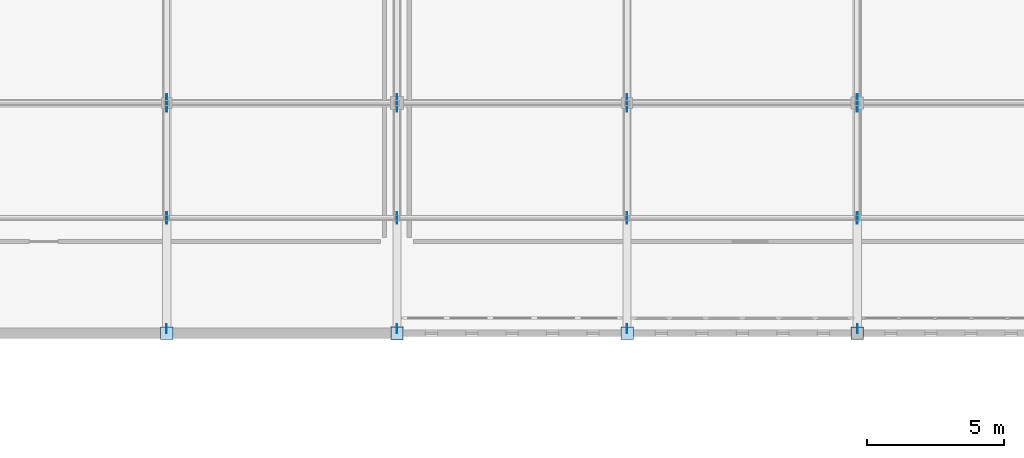
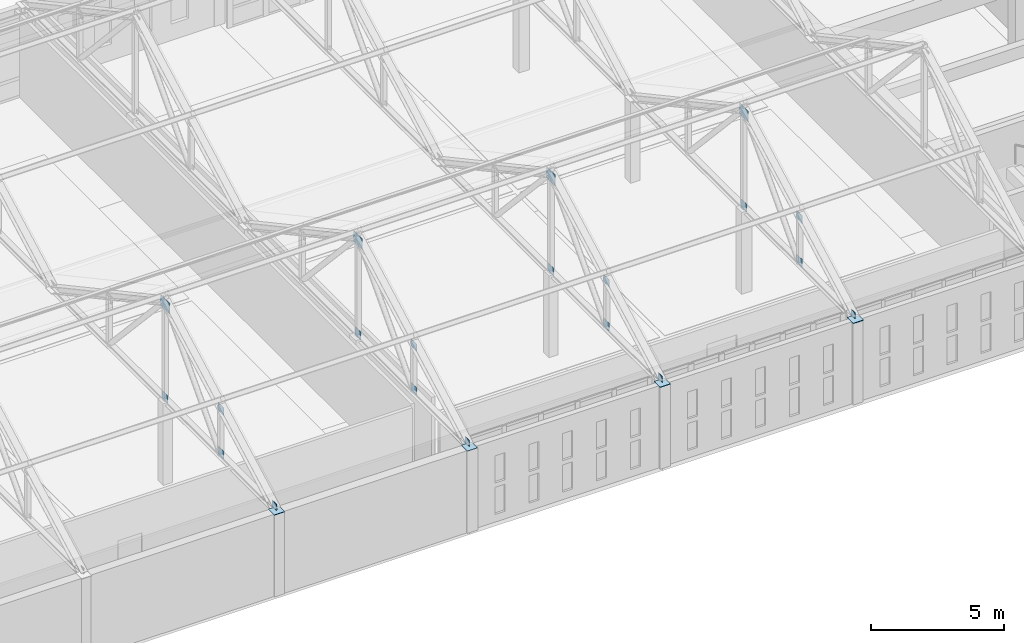
# One storey, part 76 of 110: 24 plates.
"""IFC4 building model written with IfcOpenShell, lengths in metres."""

from ifc_helpers import new_model, si_unit, direction, frame, origin, origin_2d, place, context, subcontext, project, spatial, rectangle, extrude, material, layer, layer_set, type_object, element, save


model = new_model("IFC4")

# Units and contexts
model_context = context("Model", 3, precision=1e-05, world=origin(), true_north=direction((0.0, 1.0)))
body_context = subcontext(model_context, "Body", "Model", "MODEL_VIEW")
ifc_project = project(units=[si_unit("LENGTHUNIT", "METRE"), si_unit("AREAUNIT", "SQUARE_METRE"), si_unit("VOLUMEUNIT", "CUBIC_METRE"), si_unit("PLANEANGLEUNIT", "RADIAN"), si_unit("MASSUNIT", "GRAM", prefix="KILO")], contexts=[model_context])

# Site, building, storey
site_placement = place(None, origin())
site = spatial("IfcSite", under=ifc_project, at=site_placement, CompositionType="ELEMENT")
building_placement = place(site_placement, origin())
building = spatial("IfcBuilding", under=site, at=building_placement, Name="Kveldsbrygga Polytechnic", CompositionType="ELEMENT")
storey_placement = place(building_placement, frame((0.0, 0.0, 9.860107421875)))
storey = spatial("IfcBuildingStorey", under=building, at=storey_placement, Name="L02", CompositionType="ELEMENT", Elevation=9.860107421875)

# Plates
ifc_material = material(Name="Steel S355", Category="steel")
ifc_layer_1 = layer(ifc_material, 0.030029296875)
ifc_layer_set_1 = layer_set([ifc_layer_1], Name="Steel S355")
plate_type_1 = type_object("IfcPlateType", Name="CAP-BEAR-450", PredefinedType="SHEET", material=ifc_layer_set_1)
for number, where, z_axis, x_axis, name in (
    (1, (67.199951171875, 84.0, 3.75), (0.0, 0.0, 1.0), (1.0, 0.0, 0.0), "Truss Bearing Plate V2L1-T04-A"),
    (2, (75.60009765625, 84.0, 3.75), (0.0, 0.0, 1.0), (1.0, 0.0, 0.0), "Truss Bearing Plate V2L1-T05-A"),
    (3, (84.0, 84.0, 3.75), (0.0, 0.0, 1.0), (1.0, 0.0, 0.0), "Truss Bearing Plate V2L1-T06-A"),
    (4, (92.39990234375, 84.0, 3.75), (0.0, 0.0, 1.0), (1.0, 0.0, 0.0), "Truss Bearing Plate V2L1-T07-A"),
):
    element("IfcPlate", number, at=place(storey_placement, frame(where, z_axis=z_axis, x_axis=x_axis)), inside=storey, type_object=plate_type_1, Name=name, PredefinedType="SHEET", context=body_context, shape_type="SweptSolid", body=[
        extrude(rectangle(XDim=0.449951171875, YDim=0.449951171875, at=origin_2d()), origin(), (0.0, 0.0, 1.0), 0.030029296875),
    ])
ifc_layer_2 = layer(ifc_material, 0.02490234375)
ifc_layer_set_2 = layer_set([ifc_layer_2], Name="Steel S355")
plate_type_2 = type_object("IfcPlateType", Name="GUS-APEX-650", PredefinedType="SHEET", material=ifc_layer_set_2)
for number, where, z_axis, x_axis, name in (
    (5, (67.199951171875, 92.39990234375, 7.929931640625), (0.0, 0.0, 1.0), (1.0, 0.0, 0.0), "Truss Gusset Plate V2L1-T04-GP-2"),
    (6, (75.60009765625, 92.39990234375, 7.929931640625), (0.0, 0.0, 1.0), (1.0, 0.0, 0.0), "Truss Gusset Plate V2L1-T05-GP-2"),
    (7, (84.0, 92.39990234375, 7.929931640625), (0.0, 0.0, 1.0), (1.0, 0.0, 0.0), "Truss Gusset Plate V2L1-T06-GP-2"),
    (8, (92.39990234375, 92.39990234375, 7.929931640625), (0.0, 0.0, 1.0), (1.0, 0.0, 0.0), "Truss Gusset Plate V2L1-T07-GP-2"),
):
    element("IfcPlate", number, at=place(storey_placement, frame(where, z_axis=z_axis, x_axis=x_axis)), inside=storey, type_object=plate_type_2, Name=name, PredefinedType="SHEET", context=body_context, shape_type="SweptSolid", body=[
        extrude(rectangle(XDim=0.02490234375, YDim=0.64990234375, at=origin_2d()), origin(), (0.0, 0.0, 1.0), 0.5),
    ])
ifc_layer_3 = layer(ifc_material, 0.01806640625)
ifc_layer_set_3 = layer_set([ifc_layer_3], Name="Steel S355")
plate_type_3 = type_object("IfcPlateType", Name="GUS-BRACE-320", PredefinedType="SHEET", material=ifc_layer_set_3)
for number, where, z_axis, x_axis, name in (
    (9, (67.199951171875, 84.159912109375, 3.73974609375), (0.0, 0.0, 1.0), (1.0, 0.0, 0.0), "Truss Eaves Node Gusset V2L1-T04-EGP-A"),
    (10, (75.60009765625, 84.159912109375, 3.73974609375), (0.0, 0.0, 1.0), (1.0, 0.0, 0.0), "Truss Eaves Node Gusset V2L1-T05-EGP-A"),
    (11, (84.0, 84.159912109375, 3.73974609375), (0.0, 0.0, 1.0), (1.0, 0.0, 0.0), "Truss Eaves Node Gusset V2L1-T06-EGP-A"),
    (12, (92.39990234375, 84.159912109375, 3.73974609375), (0.0, 0.0, 1.0), (1.0, 0.0, 0.0), "Truss Eaves Node Gusset V2L1-T07-EGP-A"),
):
    element("IfcPlate", number, at=place(storey_placement, frame(where, z_axis=z_axis, x_axis=x_axis)), inside=storey, type_object=plate_type_3, Name=name, PredefinedType="SHEET", context=body_context, shape_type="SweptSolid", body=[
        extrude(rectangle(XDim=0.01806640625, YDim=0.320068359375, at=origin_2d()), origin(), (0.0, 0.0, 1.0), 0.320068359375),
    ])
ifc_layer_4 = layer(ifc_material, 0.02001953125)
ifc_layer_set_4 = layer_set([ifc_layer_4], Name="Steel S355")
plate_type_4 = type_object("IfcPlateType", Name="GUS-LECT-420", PredefinedType="SHEET", material=ifc_layer_set_4)
for number, where, z_axis, x_axis, name in (
    (13, (67.199951171875, 88.199951171875, 5.729736328125), (0.0, 0.0, 1.0), (1.0, 0.0, 0.0), "Truss Gusset Plate V2L1-T04-GP-1"),
    (14, (67.199951171875, 88.199951171875, 3.724853515625), (0.0, 0.0, 1.0), (1.0, 0.0, 0.0), "Truss Bottom-Chord Node Gusset V2L1-T04-BGP-1"),
    (15, (67.199951171875, 92.39990234375, 3.724853515625), (0.0, 0.0, 1.0), (1.0, 0.0, 0.0), "Truss Bottom-Chord Node Gusset V2L1-T04-BGP-2"),
    (16, (75.60009765625, 88.199951171875, 5.729736328125), (0.0, 0.0, 1.0), (1.0, 0.0, 0.0), "Truss Gusset Plate V2L1-T05-GP-1"),
    (17, (75.60009765625, 88.199951171875, 3.724853515625), (0.0, 0.0, 1.0), (1.0, 0.0, 0.0), "Truss Bottom-Chord Node Gusset V2L1-T05-BGP-1"),
    (18, (75.60009765625, 92.39990234375, 3.724853515625), (0.0, 0.0, 1.0), (1.0, 0.0, 0.0), "Truss Bottom-Chord Node Gusset V2L1-T05-BGP-2"),
    (19, (84.0, 88.199951171875, 5.729736328125), (0.0, 0.0, 1.0), (1.0, 0.0, 0.0), "Truss Gusset Plate V2L1-T06-GP-1"),
    (20, (84.0, 88.199951171875, 3.724853515625), (0.0, 0.0, 1.0), (1.0, 0.0, 0.0), "Truss Bottom-Chord Node Gusset V2L1-T06-BGP-1"),
    (21, (84.0, 92.39990234375, 3.724853515625), (0.0, 0.0, 1.0), (1.0, 0.0, 0.0), "Truss Bottom-Chord Node Gusset V2L1-T06-BGP-2"),
    (22, (92.39990234375, 88.199951171875, 5.729736328125), (0.0, 0.0, 1.0), (1.0, 0.0, 0.0), "Truss Gusset Plate V2L1-T07-GP-1"),
    (23, (92.39990234375, 88.199951171875, 3.724853515625), (0.0, 0.0, 1.0), (1.0, 0.0, 0.0), "Truss Bottom-Chord Node Gusset V2L1-T07-BGP-1"),
    (24, (92.39990234375, 92.39990234375, 3.724853515625), (0.0, 0.0, 1.0), (1.0, 0.0, 0.0), "Truss Bottom-Chord Node Gusset V2L1-T07-BGP-2"),
):
    element("IfcPlate", number, at=place(storey_placement, frame(where, z_axis=z_axis, x_axis=x_axis)), inside=storey, type_object=plate_type_4, Name=name, PredefinedType="SHEET", context=body_context, shape_type="SweptSolid", body=[
        extrude(rectangle(XDim=0.02001953125, YDim=0.419921875, at=origin_2d()), origin(), (0.0, 0.0, 1.0), 0.35009765625),
    ])

save(model, "model.ifc")
